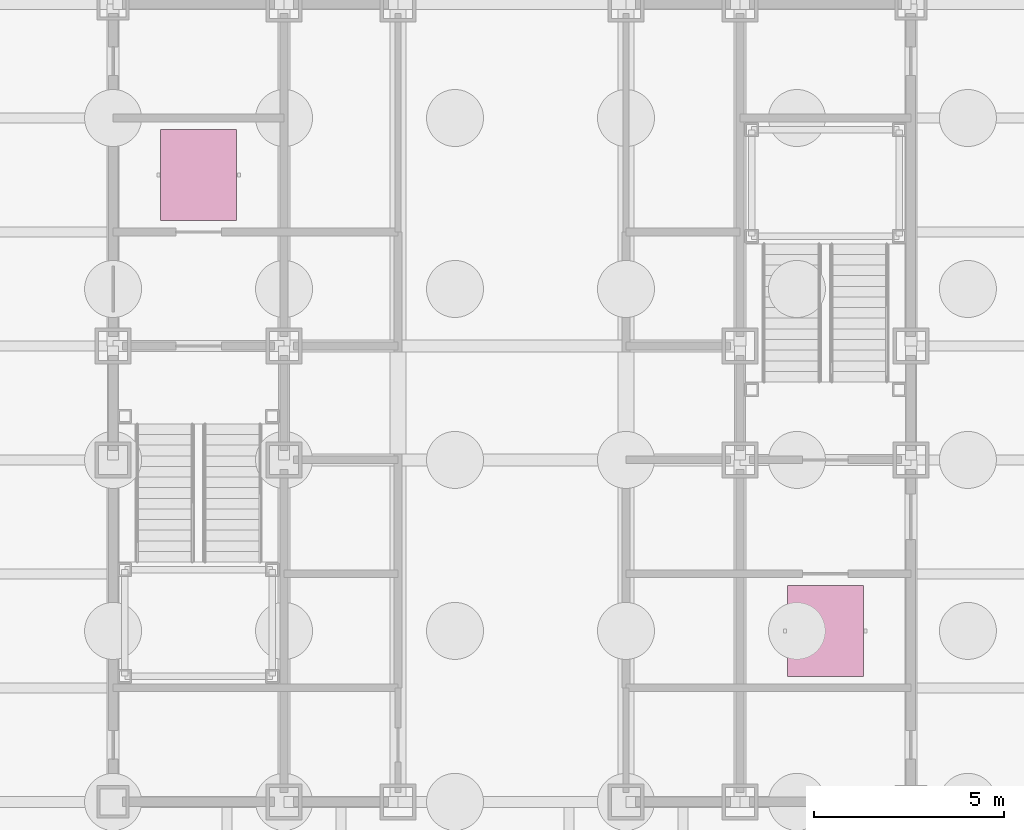
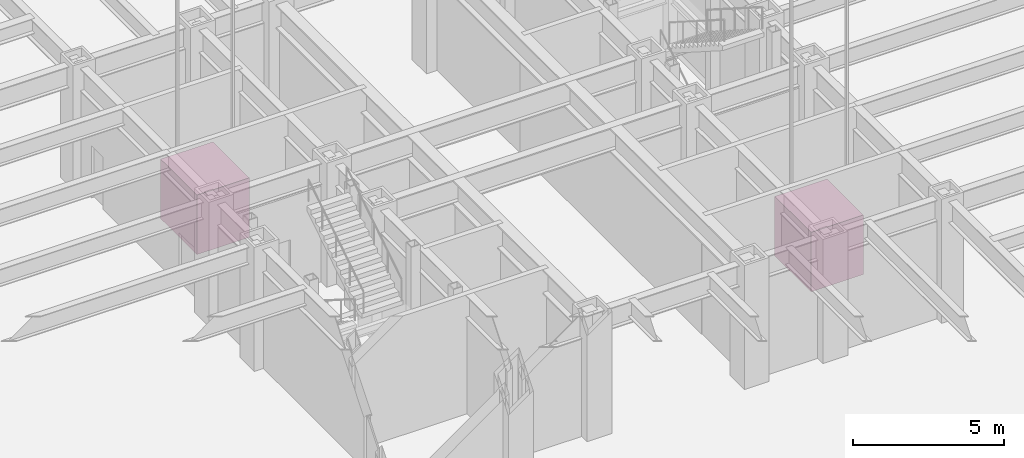
# One storey, part 14 of 18: 2 transport elements.
"""IFC4 building model written with IfcOpenShell, lengths in metres."""

import ifcopenshell
import ifcopenshell.guid

model = None  # the IFC model being written
_history = None  # IfcOwnerHistory: only IFC2X3 demands one
_inside = {}  # id of a spatial element -> (the spatial element, [elements in it])
_under = {}  # id of a project, library or spatial element -> (it, [spatial elements below it])
_declared = {}  # id of a project -> (the project, [libraries it declares])
_typed = {}  # id of a type object -> (the type object, [elements of that type])
_made_of = {}  # id of a material, layer set ... -> (it, [elements and type objects made of it])


def new_model(schema):
    """Start an empty IFC model of exactly this schema.

    Asked for "IFC4X3", IfcOpenShell would pick the latest addendum, in which some entities
    have other attributes; the version numbers below select the first issue.
    IFC2X3 requires an IfcOwnerHistory on every rooted entity: one is made here for all.
    """
    global model, _history
    if schema == "IFC4X3":
        model = ifcopenshell.file(schema_version=(4, 3, 0, 0))
    else:
        model = ifcopenshell.file(schema=schema)
    _inside.clear()
    _under.clear()
    _declared.clear()
    _typed.clear()
    _made_of.clear()
    _history = None
    if model.schema == "IFC2X3":
        org = make("IfcOrganization", Name="unknown")
        user = make(
            "IfcPersonAndOrganization",
            ThePerson=make("IfcPerson", FamilyName="unknown"),
            TheOrganization=org,
        )
        app = make(
            "IfcApplication",
            ApplicationDeveloper=org,
            Version="unknown",
            ApplicationFullName="unknown",
            ApplicationIdentifier="unknown",
        )
        _history = make(
            "IfcOwnerHistory",
            OwningUser=user,
            OwningApplication=app,
            ChangeAction="ADDED",
            CreationDate=0,
        )
    return model


def make(cls, **values):
    """One entity of the class cls with the attributes given. An attribute that is None is left unset."""
    return model.create_entity(
        cls, **{name: value for name, value in values.items() if value is not None}
    )


def rooted(cls, **values):
    """An entity with a GlobalId (a new one), such as an element, a storey or a relation."""
    return make(cls, GlobalId=ifcopenshell.guid.new(), OwnerHistory=_history, **values)


def si_unit(unit_type, name, prefix=None):
    """IfcSIUnit, for example si_unit("LENGTHUNIT", "METRE", prefix="MILLI")."""
    return make("IfcSIUnit", UnitType=unit_type, Prefix=prefix, Name=name)


def assignment(units):
    """IfcUnitAssignment: the units of a project."""
    return None if units is None else make("IfcUnitAssignment", Units=units)


def point(xyz):
    """IfcCartesianPoint."""
    return None if xyz is None else make("IfcCartesianPoint", Coordinates=xyz)


def direction(xyz):
    """IfcDirection."""
    return None if xyz is None else make("IfcDirection", DirectionRatios=xyz)


def frame(location, z_axis=None, x_axis=None):
    """IfcAxis2Placement3D, a coordinate frame: its origin and axes. An axis left out is left unset."""
    return make(
        "IfcAxis2Placement3D",
        Location=point(location),
        Axis=direction(z_axis),
        RefDirection=direction(x_axis),
    )


def frame_2d(location, x_axis=None):
    """IfcAxis2Placement2D, a coordinate frame in the plane: its origin and x axis."""
    return make(
        "IfcAxis2Placement2D", Location=point(location), RefDirection=direction(x_axis)
    )


def origin():
    """The frame at (0, 0, 0) with its axes left unset."""
    return frame((0.0, 0.0, 0.0))


def origin_2d():
    """The frame at (0, 0) in the plane with its x axis left unset."""
    return frame_2d((0.0, 0.0))


def place(relative_to, where):
    """IfcLocalPlacement: puts the frame where relative to a parent placement (None: the world)."""
    return make(
        "IfcLocalPlacement", PlacementRelTo=relative_to, RelativePlacement=where
    )


def context(
    kind, dimensions, precision=None, world=None, true_north=None, identifier=None
):
    """IfcGeometricRepresentationContext, for example the 3D "Model" context."""
    return make(
        "IfcGeometricRepresentationContext",
        ContextIdentifier=identifier,
        ContextType=kind,
        CoordinateSpaceDimension=dimensions,
        Precision=precision,
        WorldCoordinateSystem=world,
        TrueNorth=true_north,
    )


def subcontext(parent, identifier, kind, view, scale=None):
    """IfcGeometricRepresentationSubContext, for example "Body" below "Model"."""
    return make(
        "IfcGeometricRepresentationSubContext",
        ContextIdentifier=identifier,
        ContextType=kind,
        ParentContext=parent,
        TargetScale=scale,
        TargetView=view,
    )


def project(units=None, contexts=None):
    """IfcProject with its units and contexts."""
    return rooted(
        "IfcProject",
        Name="project",
        RepresentationContexts=contexts,
        UnitsInContext=assignment(units),
    )


def spatial(cls, under=None, at=None, **own):
    """A site, building, storey or space (cls), placed at a placement, below another one or the project."""
    s = rooted(cls, ObjectPlacement=at, **own)
    if under is not None:
        _under.setdefault(under.id(), (under, []))[1].append(s)
    return s


def profile(cls, at=None, kind="AREA", **sizes):
    """A parametric profile (cls). Its sizes go by their IFC names, for example OverallWidth=200.0."""
    return make(cls, ProfileType=kind, Position=at, **sizes)


def rectangle(**sizes):
    """IfcRectangleProfileDef."""
    return profile("IfcRectangleProfileDef", **sizes)


def extrude(swept, where, along, depth):
    """IfcExtrudedAreaSolid: the profile swept, set in the frame where, extruded along a direction by depth."""
    return make(
        "IfcExtrudedAreaSolid",
        SweptArea=swept,
        Position=where,
        ExtrudedDirection=direction(along),
        Depth=depth,
    )


def shape(context_of_items, identifier, shape_type, items):
    """IfcShapeRepresentation: the items that make up one representation, for example the "Body"."""
    return make(
        "IfcShapeRepresentation",
        ContextOfItems=context_of_items,
        RepresentationIdentifier=identifier,
        RepresentationType=shape_type,
        Items=items,
    )


def material(Name=None, Category=None):
    """IfcMaterial."""
    return make("IfcMaterial", Name=Name, Category=Category)


def made_of(thing, what):
    """Note that an element or type object is made of a material, layer set ...; save() writes the relation."""
    if what is not None:
        _made_of.setdefault(what.id(), (what, []))[1].append(thing)
    return thing


def type_object(cls, material=None, **own):
    """A type object (cls), such as IfcWallType, which elements share."""
    return made_of(rooted(cls, **own), material)


def element(
    cls,
    number,
    at=None,
    inside=None,
    cuts=None,
    type_object=None,
    material=None,
    context=None,
    identifier="Body",
    shape_type=None,
    held_by="IfcProductDefinitionShape",
    body=None,
    shapes=None,
    **own,
):
    """One element of the class cls, such as IfcWall. Its Tag is "e" and its number.

    at: its placement. inside: the storey or other place that contains it. cuts: it is an
    opening in that element (IfcRelVoidsElement). A single representation is given by context,
    identifier, shape_type and body (its items); several are given by shapes. held_by: the class
    of the entity that holds the representations. save() writes the other relations.
    """
    e = rooted(cls, Tag="e%d" % number, ObjectPlacement=at, **own)
    if body is not None:
        shapes = [shape(context, identifier, shape_type, body)]
    if shapes is not None:
        e.Representation = make(held_by, Representations=shapes)
    if inside is not None:
        _inside.setdefault(inside.id(), (inside, []))[1].append(e)
    if cuts is not None:
        rooted(
            "IfcRelVoidsElement", RelatingBuildingElement=cuts, RelatedOpeningElement=e
        )
    if type_object is not None:
        _typed.setdefault(type_object.id(), (type_object, []))[1].append(e)
    return made_of(e, material)


def aggregate(whole, parts):
    """IfcRelAggregates: a whole, such as a stair, and the parts it consists of."""
    return rooted("IfcRelAggregates", RelatingObject=whole, RelatedObjects=parts)


def save(model, path):
    """Write the relations noted so far, then the file.

    IfcRelAggregates (storeys below a building ...), IfcRelContainedInSpatialStructure (elements
    in a storey), IfcRelDefinesByType, IfcRelAssociatesMaterial and IfcRelDeclares: one each for
    every whole, place, type object, material and project.
    """
    for whole, parts in _under.values():
        aggregate(whole, parts)
    for where, things in _inside.values():
        rooted(
            "IfcRelContainedInSpatialStructure",
            RelatedElements=things,
            RelatingStructure=where,
        )
    for kind, things in _typed.values():
        rooted("IfcRelDefinesByType", RelatedObjects=things, RelatingType=kind)
    for what, things in _made_of.values():
        rooted("IfcRelAssociatesMaterial", RelatedObjects=things, RelatingMaterial=what)
    for by, libraries in _declared.values():
        rooted("IfcRelDeclares", RelatingContext=by, RelatedDefinitions=libraries)
    model.write(path)


model = new_model("IFC4")

# Units and contexts
model_context = context("Model", 3, precision=1e-05, world=origin(), true_north=direction((0.0, 1.0)))
body_context = subcontext(model_context, "Body", "Model", "MODEL_VIEW")
ifc_project = project(units=[si_unit("LENGTHUNIT", "METRE"), si_unit("AREAUNIT", "SQUARE_METRE"), si_unit("VOLUMEUNIT", "CUBIC_METRE"), si_unit("PLANEANGLEUNIT", "RADIAN"), si_unit("MASSUNIT", "GRAM", prefix="KILO")], contexts=[model_context])

# Site, building, storey
site_placement = place(None, origin())
site = spatial("IfcSite", under=ifc_project, at=site_placement, CompositionType="ELEMENT")
building_placement = place(site_placement, origin())
building = spatial("IfcBuilding", under=site, at=building_placement, Name="Chuquiago Exchange Tower", CompositionType="ELEMENT")
storey_placement = place(building_placement, frame((0.0, 0.0, -5.0)))
storey = spatial("IfcBuildingStorey", under=building, at=storey_placement, Name="B1", CompositionType="ELEMENT", Elevation=-5.0)

# Transport elements
ifc_material = material(Name="Lift car, stainless steel", Category="steel")
transport_element_type = type_object("IfcTransportElementType", Name="FL firefighting lift 1800 kg", PredefinedType="ELEVATOR", material=ifc_material)
for number, where, z_axis, x_axis, name in (
    (1, (14.25, 28.5, 0.0), (0.0, 0.0, 1.0), (1.0, 0.0, 0.0), "Firefighting lift FL1"),
    (2, (30.75, 16.5, 0.0), (0.0, 0.0, 1.0), (1.0, 0.0, 0.0), "Firefighting lift FL2"),
):
    element("IfcTransportElement", number, at=place(storey_placement, frame(where, z_axis=z_axis, x_axis=x_axis)), inside=storey, type_object=transport_element_type, Name=name, PredefinedType="ELEVATOR", context=body_context, shape_type="SweptSolid", body=[
        extrude(rectangle(XDim=2.0, YDim=2.39990234375, at=origin_2d()), origin(), (0.0, 0.0, 1.0), 2.39990234375),
    ])

save(model, "model.ifc")
